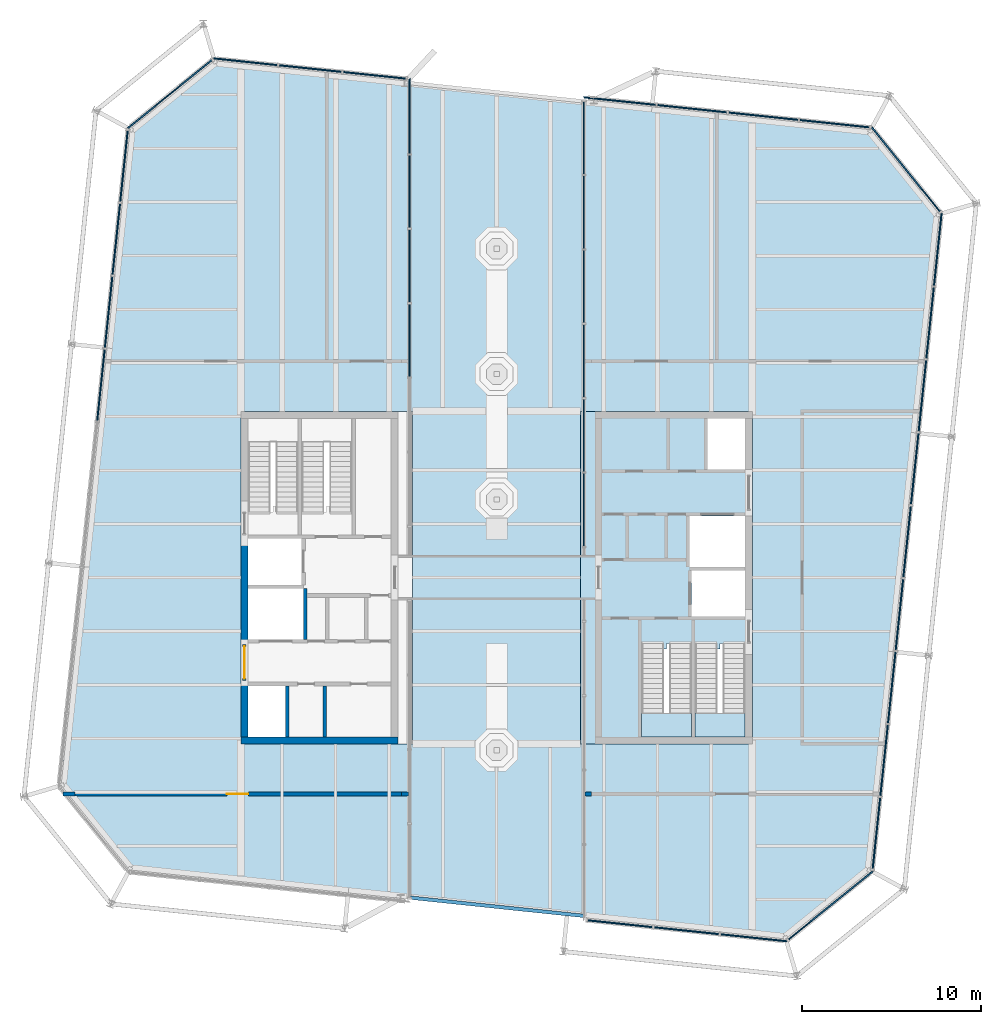
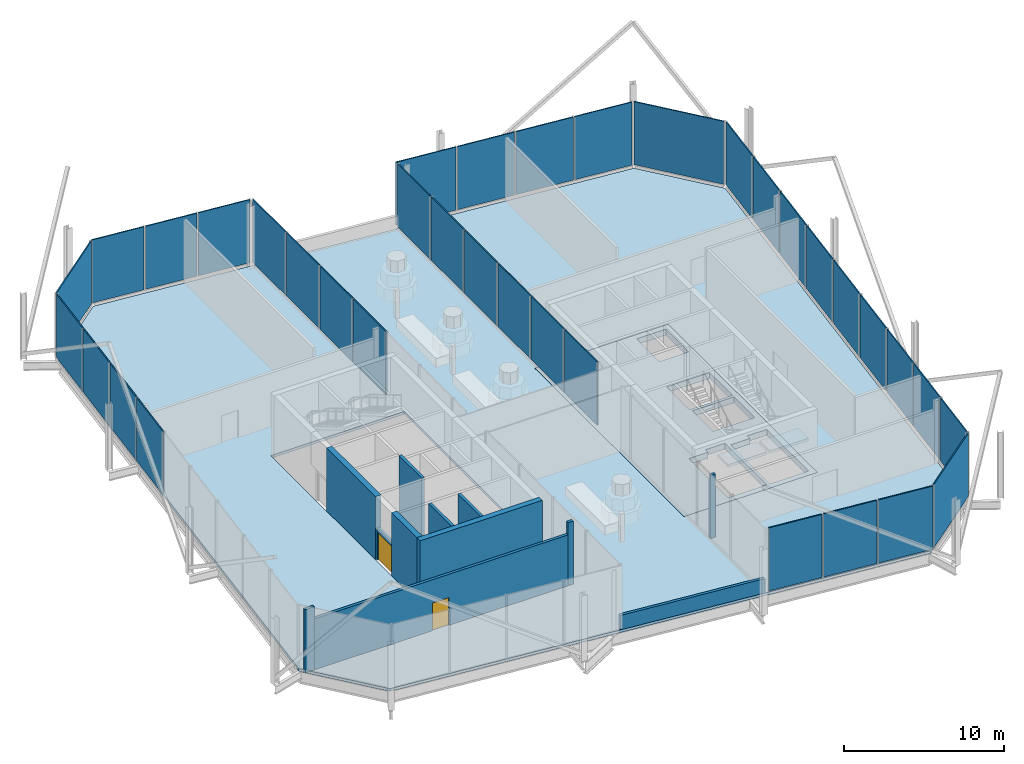
# One storey, part 9 of 14: 36 plates, 12 walls, 4 slabs, 2 doors, 2 openings, 12 elements without a shape of their own.
"""IFC4 building model written with IfcOpenShell, lengths in metres."""

from ifc_helpers import new_model, si_unit, direction, frame, frame_2d, origin, place, context, subcontext, project, spatial, polyline, rectangle, outline, extrude, material, layer, layer_set, type_object, element, fill, aggregate, save


model = new_model("IFC4")

# Units and contexts
model_context = context("Model", 3, precision=1e-05, world=origin(), true_north=direction((0.0, 1.0)))
body_context = subcontext(model_context, "Body", "Model", "MODEL_VIEW")
ifc_project = project(units=[si_unit("LENGTHUNIT", "METRE"), si_unit("AREAUNIT", "SQUARE_METRE"), si_unit("VOLUMEUNIT", "CUBIC_METRE"), si_unit("PLANEANGLEUNIT", "RADIAN"), si_unit("MASSUNIT", "GRAM", prefix="KILO")], contexts=[model_context])

# Site, building, storey
site_placement = place(None, origin())
site = spatial("IfcSite", under=ifc_project, at=site_placement, CompositionType="ELEMENT")
building_placement = place(site_placement, origin())
building = spatial("IfcBuilding", under=site, at=building_placement, Name="Millrace Tower", CompositionType="ELEMENT")
storey_placement = place(building_placement, frame((0.0, 0.0, 342.10009765625)))
storey = spatial("IfcBuildingStorey", under=building, at=storey_placement, Name="L79", CompositionType="ELEMENT", Elevation=342.10009765625)

# Curtain wall, plates
ifc_material_1 = material(Name="Aluminium and glass", Category="aluminium")
ifc_layer_1 = layer(ifc_material_1, 0.25)
ifc_layer_set_1 = layer_set([ifc_layer_1], Name="Aluminium and glass")
curtain_wall_type = type_object("IfcCurtainWallType", Name="CW-7 crown louvred enclosure", PredefinedType="NOTDEFINED", material=ifc_layer_set_1)
placement_1 = place(storey_placement, origin())
curtain_wall_1 = element("IfcCurtainWall", 1, at=placement_1, inside=storey, type_object=curtain_wall_type, Name="Curtain wall CW-F01 L79", PredefinedType="NOTDEFINED")
ifc_material_2 = material(Name="Glass", Category="glass")
ifc_layer_2 = layer(ifc_material_2, 0.080078125)
ifc_layer_set_2 = layer_set([ifc_layer_2], Name="Glass")
plate_type = type_object("IfcPlateType", Name="CW-7 crown louvred enclosure fixed louvre panel", PredefinedType="CURTAIN_PANEL", material=ifc_layer_set_2)
placement_2 = place(storey_placement, frame((0.0, 0.0, 0.199951171875)))
plate_1 = element("IfcPlate", 2, at=placement_2, type_object=plate_type, Name="CW7 panel CW-F01.8", PredefinedType="CURTAIN_PANEL", context=body_context, shape_type="SweptSolid", body=[
    extrude(outline(polyline([(-4.8349609375, 11.2353515625), (-4.8349609375, 15.29443359375), (-4.9150390625, 15.29443359375), (-4.9150390625, 11.2353515625), (-4.8349609375, 11.2353515625)])), origin(), (0.0, 0.0, 1.0), 4.800048828125),
])
plate_2 = element("IfcPlate", 3, at=placement_2, type_object=plate_type, Name="CW7 panel CW-F01.9", PredefinedType="CURTAIN_PANEL", context=body_context, shape_type="SweptSolid", body=[
    extrude(outline(polyline([(-4.8349609375, 15.39453125), (-4.8349609375, 19.45361328125), (-4.9150390625, 19.45361328125), (-4.9150390625, 15.39453125), (-4.8349609375, 15.39453125)])), origin(), (0.0, 0.0, 1.0), 4.800048828125),
])
plate_3 = element("IfcPlate", 4, at=placement_2, type_object=plate_type, Name="CW7 panel CW-F01.10", PredefinedType="CURTAIN_PANEL", context=body_context, shape_type="SweptSolid", body=[
    extrude(outline(polyline([(-4.8349609375, 19.553466796875), (-4.8349609375, 23.61279296875), (-4.9150390625, 23.61279296875), (-4.9150390625, 19.553466796875), (-4.8349609375, 19.553466796875)])), origin(), (0.0, 0.0, 1.0), 4.800048828125),
])
plate_4 = element("IfcPlate", 5, at=placement_2, type_object=plate_type, Name="CW7 panel CW-F01.11", PredefinedType="CURTAIN_PANEL", context=body_context, shape_type="SweptSolid", body=[
    extrude(outline(polyline([(-4.8349609375, 23.712646484375), (-4.8349609375, 27.92041015625), (-4.9150390625, 27.848388671875), (-4.9150390625, 23.712646484375), (-4.8349609375, 23.712646484375)])), origin(), (0.0, 0.0, 1.0), 4.800048828125),
])
aggregate(curtain_wall_1, [plate_1, plate_2, plate_3, plate_4])

curtain_wall_2 = element("IfcCurtainWall", 6, at=placement_1, inside=storey, type_object=curtain_wall_type, Name="Curtain wall CW-F02 L79", PredefinedType="NOTDEFINED")
plate_5 = element("IfcPlate", 7, at=placement_2, type_object=plate_type, Name="CW7 panel CW-F02.1", PredefinedType="CURTAIN_PANEL", context=body_context, shape_type="SweptSolid", body=[
    extrude(outline(polyline([(-5.082275390625, 27.9462890625), (-8.572998046875, 28.313232421875), (-8.581298828125, 28.233642578125), (-5.090576171875, 27.866943359375), (-5.082275390625, 27.9462890625)])), origin(), (0.0, 0.0, 1.0), 4.800048828125),
])
plate_6 = element("IfcPlate", 8, at=placement_2, type_object=plate_type, Name="CW7 panel CW-F02.2", PredefinedType="CURTAIN_PANEL", context=body_context, shape_type="SweptSolid", body=[
    extrude(outline(polyline([(-8.672607421875, 28.32373046875), (-12.163330078125, 28.690673828125), (-12.171630859375, 28.611083984375), (-8.680908203125, 28.244140625), (-8.672607421875, 28.32373046875)])), origin(), (0.0, 0.0, 1.0), 4.800048828125),
])
plate_7 = element("IfcPlate", 9, at=placement_2, type_object=plate_type, Name="CW7 panel CW-F02.3", PredefinedType="CURTAIN_PANEL", context=body_context, shape_type="SweptSolid", body=[
    extrude(outline(polyline([(-12.2626953125, 28.701171875), (-15.821533203125, 29.0751953125), (-15.797119140625, 28.9921875), (-12.271240234375, 28.62158203125), (-12.2626953125, 28.701171875)])), origin(), (0.0, 0.0, 1.0), 4.800048828125),
])
aggregate(curtain_wall_2, [plate_5, plate_6, plate_7])

# Curtain wall, plate
curtain_wall_3 = element("IfcCurtainWall", 10, at=placement_1, inside=storey, type_object=curtain_wall_type, Name="Curtain wall CW-F03 L79", PredefinedType="NOTDEFINED")
plate_8 = element("IfcPlate", 11, at=placement_2, type_object=plate_type, Name="CW7 panel CW-F03.1", PredefinedType="CURTAIN_PANEL", context=body_context, shape_type="SweptSolid", body=[
    extrude(outline(polyline([(-15.952392578125, 28.96923828125), (-20.65380859375, 25.162109375), (-20.57763671875, 25.120849609375), (-15.902099609375, 28.906982421875), (-15.952392578125, 28.96923828125)])), origin(), (0.0, 0.0, 1.0), 4.800048828125),
])
aggregate(curtain_wall_3, [plate_8])

# Curtain wall, plates
curtain_wall_4 = element("IfcCurtainWall", 12, at=placement_1, inside=storey, type_object=curtain_wall_type, Name="Curtain wall CW-F04 L79", PredefinedType="NOTDEFINED")
plate_9 = element("IfcPlate", 13, at=placement_2, type_object=plate_type, Name="CW7 panel CW-F04.1", PredefinedType="CURTAIN_PANEL", context=body_context, shape_type="SweptSolid", body=[
    extrude(outline(polyline([(-20.67138671875, 24.99462890625), (-21.089599609375, 21.0166015625), (-21.010009765625, 21.00830078125), (-20.591796875, 24.986328125), (-20.67138671875, 24.99462890625)])), origin(), (0.0, 0.0, 1.0), 4.800048828125),
])
plate_10 = element("IfcPlate", 14, at=placement_2, type_object=plate_type, Name="CW7 panel CW-F04.2", PredefinedType="CURTAIN_PANEL", context=body_context, shape_type="SweptSolid", body=[
    extrude(outline(polyline([(-21.099853515625, 20.917236328125), (-21.51806640625, 16.939208984375), (-21.4384765625, 16.9306640625), (-21.020263671875, 20.908935546875), (-21.099853515625, 20.917236328125)])), origin(), (0.0, 0.0, 1.0), 4.800048828125),
])
plate_11 = element("IfcPlate", 15, at=placement_2, type_object=plate_type, Name="CW7 panel CW-F04.3", PredefinedType="CURTAIN_PANEL", context=body_context, shape_type="SweptSolid", body=[
    extrude(outline(polyline([(-21.528564453125, 16.839599609375), (-21.946533203125, 12.861572265625), (-21.866943359375, 12.853271484375), (-21.448974609375, 16.831298828125), (-21.528564453125, 16.839599609375)])), origin(), (0.0, 0.0, 1.0), 4.800048828125),
])
plate_12 = element("IfcPlate", 16, at=placement_2, type_object=plate_type, Name="CW7 panel CW-F04.4", PredefinedType="CURTAIN_PANEL", context=body_context, shape_type="SweptSolid", body=[
    extrude(outline(polyline([(-21.95703125, 12.76220703125), (-22.375244140625, 8.783935546875), (-22.295654296875, 8.775634765625), (-21.87744140625, 12.753662109375), (-21.95703125, 12.76220703125)])), origin(), (0.0, 0.0, 1.0), 4.800048828125),
])
aggregate(curtain_wall_4, [plate_9, plate_10, plate_11, plate_12])

curtain_wall_5 = element("IfcCurtainWall", 17, at=placement_1, inside=storey, type_object=curtain_wall_type, Name="Curtain wall CE-F01 L79", PredefinedType="NOTDEFINED")
plate_13 = element("IfcPlate", 18, at=placement_2, type_object=plate_type, Name="CW7 panel CE-F01.1", PredefinedType="CURTAIN_PANEL", context=body_context, shape_type="SweptSolid", body=[
    extrude(outline(polyline([(4.8349609375, 26.620849609375), (4.8349609375, 22.561767578125), (4.9150390625, 22.561767578125), (4.9150390625, 26.620849609375), (4.8349609375, 26.620849609375)])), origin(), (0.0, 0.0, 1.0), 4.800048828125),
])
plate_14 = element("IfcPlate", 19, at=placement_2, type_object=plate_type, Name="CW7 panel CE-F01.2", PredefinedType="CURTAIN_PANEL", context=body_context, shape_type="SweptSolid", body=[
    extrude(outline(polyline([(4.8349609375, 22.461669921875), (4.8349609375, 18.402587890625), (4.9150390625, 18.402587890625), (4.9150390625, 22.461669921875), (4.8349609375, 22.461669921875)])), origin(), (0.0, 0.0, 1.0), 4.800048828125),
])
plate_15 = element("IfcPlate", 20, at=placement_2, type_object=plate_type, Name="CW7 panel CE-F01.3", PredefinedType="CURTAIN_PANEL", context=body_context, shape_type="SweptSolid", body=[
    extrude(outline(polyline([(4.8349609375, 18.302490234375), (4.8349609375, 14.243408203125), (4.9150390625, 14.243408203125), (4.9150390625, 18.302490234375), (4.8349609375, 18.302490234375)])), origin(), (0.0, 0.0, 1.0), 4.800048828125),
])
plate_16 = element("IfcPlate", 21, at=placement_2, type_object=plate_type, Name="CW7 panel CE-F01.4", PredefinedType="CURTAIN_PANEL", context=body_context, shape_type="SweptSolid", body=[
    extrude(outline(polyline([(4.8349609375, 14.143310546875), (4.8349609375, 10.084228515625), (4.9150390625, 10.084228515625), (4.9150390625, 14.143310546875), (4.8349609375, 14.143310546875)])), origin(), (0.0, 0.0, 1.0), 4.800048828125),
])
plate_17 = element("IfcPlate", 22, at=placement_2, type_object=plate_type, Name="CW7 panel CE-F01.5", PredefinedType="CURTAIN_PANEL", context=body_context, shape_type="SweptSolid", body=[
    extrude(outline(polyline([(4.8349609375, 9.984130859375), (4.8349609375, 5.925048828125), (4.9150390625, 5.925048828125), (4.9150390625, 9.984130859375), (4.8349609375, 9.984130859375)])), origin(), (0.0, 0.0, 1.0), 4.800048828125),
])
plate_18 = element("IfcPlate", 23, at=placement_2, type_object=plate_type, Name="CW7 panel CE-F01.6", PredefinedType="CURTAIN_PANEL", context=body_context, shape_type="SweptSolid", body=[
    extrude(outline(polyline([(4.8349609375, 5.824951171875), (4.8349609375, 1.765869140625), (4.9150390625, 1.765869140625), (4.9150390625, 5.824951171875), (4.8349609375, 5.824951171875)])), origin(), (0.0, 0.0, 1.0), 4.800048828125),
])
aggregate(curtain_wall_5, [plate_13, plate_14, plate_15, plate_16, plate_17, plate_18])

curtain_wall_6 = element("IfcCurtainWall", 24, at=placement_1, inside=storey, type_object=curtain_wall_type, Name="Curtain wall CE-F02 L79", PredefinedType="NOTDEFINED")
plate_19 = element("IfcPlate", 25, at=placement_2, type_object=plate_type, Name="CW7 panel CE-F02.1", PredefinedType="CURTAIN_PANEL", context=body_context, shape_type="SweptSolid", body=[
    extrude(outline(polyline([(5.082275390625, -19.204345703125), (8.706298828125, -19.585205078125), (8.71484375, -19.505615234375), (5.090576171875, -19.124755859375), (5.082275390625, -19.204345703125)])), origin(), (0.0, 0.0, 1.0), 4.800048828125),
])
plate_20 = element("IfcPlate", 26, at=placement_2, type_object=plate_type, Name="CW7 panel CE-F02.2", PredefinedType="CURTAIN_PANEL", context=body_context, shape_type="SweptSolid", body=[
    extrude(outline(polyline([(8.805908203125, -19.595703125), (12.429931640625, -19.9765625), (12.4384765625, -19.89697265625), (8.814208984375, -19.51611328125), (8.805908203125, -19.595703125)])), origin(), (0.0, 0.0, 1.0), 4.800048828125),
])
plate_21 = element("IfcPlate", 27, at=placement_2, type_object=plate_type, Name="CW7 panel CE-F02.3", PredefinedType="CURTAIN_PANEL", context=body_context, shape_type="SweptSolid", body=[
    extrude(outline(polyline([(12.529541015625, -19.987060546875), (16.2216796875, -20.375244140625), (16.197021484375, -20.292236328125), (12.537841796875, -19.907470703125), (12.529541015625, -19.987060546875)])), origin(), (0.0, 0.0, 1.0), 4.800048828125),
])
aggregate(curtain_wall_6, [plate_19, plate_20, plate_21])

# Curtain wall, plate
curtain_wall_7 = element("IfcCurtainWall", 28, at=placement_1, inside=storey, type_object=curtain_wall_type, Name="Curtain wall CE-F03 L79", PredefinedType="NOTDEFINED")
plate_22 = element("IfcPlate", 29, at=placement_2, type_object=plate_type, Name="CW7 panel CE-F03.1", PredefinedType="CURTAIN_PANEL", context=body_context, shape_type="SweptSolid", body=[
    extrude(outline(polyline([(16.3525390625, -20.269287109375), (21.0537109375, -16.462158203125), (20.977783203125, -16.4208984375), (16.302001953125, -20.20703125), (16.3525390625, -20.269287109375)])), origin(), (0.0, 0.0, 1.0), 4.800048828125),
])
aggregate(curtain_wall_7, [plate_22])

# Curtain wall, plates
curtain_wall_8 = element("IfcCurtainWall", 30, at=placement_1, inside=storey, type_object=curtain_wall_type, Name="Curtain wall CE-F04 L79", PredefinedType="NOTDEFINED")
plate_23 = element("IfcPlate", 31, at=placement_2, type_object=plate_type, Name="CW7 panel CE-F04.1", PredefinedType="CURTAIN_PANEL", context=body_context, shape_type="SweptSolid", body=[
    extrude(outline(polyline([(21.0712890625, -16.294677734375), (21.489501953125, -12.316650390625), (21.409912109375, -12.308349609375), (20.99169921875, -16.286376953125), (21.0712890625, -16.294677734375)])), origin(), (0.0, 0.0, 1.0), 4.800048828125),
])
plate_24 = element("IfcPlate", 32, at=placement_2, type_object=plate_type, Name="CW7 panel CE-F04.2", PredefinedType="CURTAIN_PANEL", context=body_context, shape_type="SweptSolid", body=[
    extrude(outline(polyline([(21.5, -12.21728515625), (21.91796875, -8.239013671875), (21.83837890625, -8.230712890625), (21.42041015625, -12.208740234375), (21.5, -12.21728515625)])), origin(), (0.0, 0.0, 1.0), 4.800048828125),
])
plate_25 = element("IfcPlate", 33, at=placement_2, type_object=plate_type, Name="CW7 panel CE-F04.3", PredefinedType="CURTAIN_PANEL", context=body_context, shape_type="SweptSolid", body=[
    extrude(outline(polyline([(21.928466796875, -8.1396484375), (22.3466796875, -4.16162109375), (22.26708984375, -4.1533203125), (21.848876953125, -8.13134765625), (21.928466796875, -8.1396484375)])), origin(), (0.0, 0.0, 1.0), 4.800048828125),
])
plate_26 = element("IfcPlate", 34, at=placement_2, type_object=plate_type, Name="CW7 panel CE-F04.4", PredefinedType="CURTAIN_PANEL", context=body_context, shape_type="SweptSolid", body=[
    extrude(outline(polyline([(22.357177734375, -4.06201171875), (22.775146484375, -0.083984375), (22.695556640625, -0.07568359375), (22.277587890625, -4.0537109375), (22.357177734375, -4.06201171875)])), origin(), (0.0, 0.0, 1.0), 4.800048828125),
])
plate_27 = element("IfcPlate", 35, at=placement_2, type_object=plate_type, Name="CW7 panel CE-F04.5", PredefinedType="CURTAIN_PANEL", context=body_context, shape_type="SweptSolid", body=[
    extrude(outline(polyline([(22.78564453125, 0.015380859375), (23.203857421875, 3.993408203125), (23.124267578125, 4.001953125), (22.7060546875, 0.023681640625), (22.78564453125, 0.015380859375)])), origin(), (0.0, 0.0, 1.0), 4.800048828125),
])
plate_28 = element("IfcPlate", 36, at=placement_2, type_object=plate_type, Name="CW7 panel CE-F04.6", PredefinedType="CURTAIN_PANEL", context=body_context, shape_type="SweptSolid", body=[
    extrude(outline(polyline([(23.214111328125, 4.093017578125), (23.63232421875, 8.071044921875), (23.552734375, 8.079345703125), (23.134521484375, 4.101318359375), (23.214111328125, 4.093017578125)])), origin(), (0.0, 0.0, 1.0), 4.800048828125),
])
plate_29 = element("IfcPlate", 37, at=placement_2, type_object=plate_type, Name="CW7 panel CE-F04.7", PredefinedType="CURTAIN_PANEL", context=body_context, shape_type="SweptSolid", body=[
    extrude(outline(polyline([(23.642822265625, 8.17041015625), (24.060791015625, 12.148681640625), (23.9814453125, 12.156982421875), (23.563232421875, 8.178955078125), (23.642822265625, 8.17041015625)])), origin(), (0.0, 0.0, 1.0), 4.800048828125),
])
plate_30 = element("IfcPlate", 38, at=placement_2, type_object=plate_type, Name="CW7 panel CE-F04.8", PredefinedType="CURTAIN_PANEL", context=body_context, shape_type="SweptSolid", body=[
    extrude(outline(polyline([(24.0712890625, 12.248046875), (24.489501953125, 16.22607421875), (24.409912109375, 16.234375), (23.99169921875, 12.25634765625), (24.0712890625, 12.248046875)])), origin(), (0.0, 0.0, 1.0), 4.800048828125),
])
plate_31 = element("IfcPlate", 39, at=placement_2, type_object=plate_type, Name="CW7 panel CE-F04.9", PredefinedType="CURTAIN_PANEL", context=body_context, shape_type="SweptSolid", body=[
    extrude(outline(polyline([(24.5, 16.32568359375), (24.925048828125, 20.37158203125), (24.842041015625, 20.346923828125), (24.42041015625, 16.333984375), (24.5, 16.32568359375)])), origin(), (0.0, 0.0, 1.0), 4.800048828125),
])
aggregate(curtain_wall_8, [plate_23, plate_24, plate_25, plate_26, plate_27, plate_28, plate_29, plate_30, plate_31])

# Curtain wall, plate
curtain_wall_9 = element("IfcCurtainWall", 40, at=placement_1, inside=storey, type_object=curtain_wall_type, Name="Curtain wall CE-F05 L79", PredefinedType="NOTDEFINED")
plate_32 = element("IfcPlate", 41, at=placement_2, type_object=plate_type, Name="CW7 panel CE-F05.1", PredefinedType="CURTAIN_PANEL", context=body_context, shape_type="SweptSolid", body=[
    extrude(outline(polyline([(24.8193359375, 20.50244140625), (21.01220703125, 25.203857421875), (20.970947265625, 25.127685546875), (24.757080078125, 20.4521484375), (24.8193359375, 20.50244140625)])), origin(), (0.0, 0.0, 1.0), 4.800048828125),
])
aggregate(curtain_wall_9, [plate_32])

# Curtain wall, plates
curtain_wall_10 = element("IfcCurtainWall", 42, at=placement_1, inside=storey, type_object=curtain_wall_type, Name="Curtain wall CE-F06 L79", PredefinedType="NOTDEFINED")
plate_33 = element("IfcPlate", 43, at=placement_2, type_object=plate_type, Name="CW7 panel CE-F06.1", PredefinedType="CURTAIN_PANEL", context=body_context, shape_type="SweptSolid", body=[
    extrude(outline(polyline([(20.8447265625, 25.221435546875), (16.96240234375, 25.62939453125), (16.9541015625, 25.5498046875), (20.83642578125, 25.141845703125), (20.8447265625, 25.221435546875)])), origin(), (0.0, 0.0, 1.0), 4.800048828125),
])
plate_34 = element("IfcPlate", 44, at=placement_2, type_object=plate_type, Name="CW7 panel CE-F06.2", PredefinedType="CURTAIN_PANEL", context=body_context, shape_type="SweptSolid", body=[
    extrude(outline(polyline([(16.863037109375, 25.639892578125), (12.980712890625, 26.0478515625), (12.972412109375, 25.96826171875), (16.854736328125, 25.560302734375), (16.863037109375, 25.639892578125)])), origin(), (0.0, 0.0, 1.0), 4.800048828125),
])
plate_35 = element("IfcPlate", 45, at=placement_2, type_object=plate_type, Name="CW7 panel CE-F06.3", PredefinedType="CURTAIN_PANEL", context=body_context, shape_type="SweptSolid", body=[
    extrude(outline(polyline([(12.88134765625, 26.058349609375), (8.9990234375, 26.46630859375), (8.99072265625, 26.386962890625), (12.872802734375, 25.978759765625), (12.88134765625, 26.058349609375)])), origin(), (0.0, 0.0, 1.0), 4.800048828125),
])
plate_36 = element("IfcPlate", 46, at=placement_2, type_object=plate_type, Name="CW7 panel CE-F06.4", PredefinedType="CURTAIN_PANEL", context=body_context, shape_type="SweptSolid", body=[
    extrude(outline(polyline([(8.8994140625, 26.476806640625), (4.8349609375, 26.904052734375), (4.9150390625, 26.815185546875), (8.89111328125, 26.397216796875), (8.8994140625, 26.476806640625)])), origin(), (0.0, 0.0, 1.0), 4.800048828125),
])
aggregate(curtain_wall_10, [plate_33, plate_34, plate_35, plate_36])

# Slab
ifc_material_3 = material(Name="Concrete C35 on steel deck", Category="concrete")
ifc_layer_3 = layer(ifc_material_3, 0.199951171875)
ifc_layer_set_3 = layer_set([ifc_layer_3], Name="Concrete C35 on steel deck")
slab_type_1 = type_object("IfcSlabType", Name="Composite floor slab 200 mm", PredefinedType="FLOOR", material=ifc_layer_set_3)
slab_1_placement = place(storey_placement, frame((0.0, 0.0, -0.2001953125)))
element("IfcSlab", 47, at=slab_1_placement, inside=storey, type_object=slab_type_1, Name="SL-CROWN-L79-S1", PredefinedType="FLOOR", context=body_context, shape_type="SweptSolid", body=[
    extrude(outline(polyline([(-24.35400390625, -11.620849609375), (-20.52685546875, -16.346923828125), (16.1708984375, -20.203857421875), (20.896728515625, -16.376953125), (24.75390625, 20.32080078125), (20.927001953125, 25.046875), (-15.77099609375, 28.90380859375), (-20.496826171875, 25.076904296875), (-24.35400390625, -11.620849609375)]), holes=[polyline([(-14.300048828125, -9.300048828125), (-4.699951171875, -9.300048828125), (-4.699951171875, 9.300048828125), (-14.300048828125, 9.300048828125), (-14.300048828125, -9.300048828125)]), polyline([(4.699951171875, -9.300048828125), (14.300048828125, -9.300048828125), (14.300048828125, 9.300048828125), (4.699951171875, 9.300048828125), (4.699951171875, -9.300048828125)])]), origin(), (0.0, 0.0, 1.0), 0.2001953125),
])

# Stair, slab
ifc_material_4 = material(Name="Concrete C35", Category="concrete")
stair_type = type_object("IfcStairType", Name="Exit stair", PredefinedType="HALF_TURN_STAIR", material=ifc_material_4)
stair_1 = element("IfcStair", 48, at=placement_1, inside=storey, type_object=stair_type, Name="Stair 1 E L79", PredefinedType="HALF_TURN_STAIR")
ifc_material_5 = material(Name="Concrete C40", Category="concrete")
ifc_layer_4 = layer(ifc_material_5, 0.199951171875)
ifc_layer_set_4 = layer_set([ifc_layer_4], Name="Concrete C40")
slab_type_2 = type_object("IfcSlabType", Name="Stair landing", PredefinedType="LANDING", material=ifc_layer_set_4)
placement_3 = place(storey_placement, frame((0.0, 0.0, 2.2998046875)))
slab_2 = element("IfcSlab", 49, at=placement_3, type_object=slab_type_2, Name="ST12 landing 1", PredefinedType="LANDING", context=body_context, shape_type="SweptSolid", body=[
    extrude(outline(polyline([(11.10009765625, -8.89990234375), (13.89990234375, -8.89990234375), (13.89990234375, -7.60009765625), (11.10009765625, -7.60009765625), (11.10009765625, -8.89990234375)])), origin(), (0.0, 0.0, 1.0), 0.2001953125),
])
aggregate(stair_1, [slab_2])

stair_2 = element("IfcStair", 50, at=placement_1, inside=storey, type_object=stair_type, Name="Stair 2 E L79", PredefinedType="HALF_TURN_STAIR")
slab_3 = element("IfcSlab", 51, at=placement_3, type_object=slab_type_2, Name="ST12 landing 1", PredefinedType="LANDING", context=body_context, shape_type="SweptSolid", body=[
    extrude(outline(polyline([(8.10009765625, -8.89990234375), (10.89990234375, -8.89990234375), (10.89990234375, -7.60009765625), (8.10009765625, -7.60009765625), (8.10009765625, -8.89990234375)])), origin(), (0.0, 0.0, 1.0), 0.2001953125),
])
aggregate(stair_2, [slab_3])

# Slab
ifc_material_6 = material(Name="Concrete C60", Category="concrete")
ifc_layer_5 = layer(ifc_material_6, 0.449951171875)
ifc_layer_set_5 = layer_set([ifc_layer_5], Name="Concrete C60")
slab_type_3 = type_object("IfcSlabType", Name="Transfer floor slab 450 mm", PredefinedType="FLOOR", material=ifc_layer_set_5)
slab_4_placement = place(storey_placement, frame((0.0, 0.0, -0.4501953125)))
element("IfcSlab", 52, at=slab_4_placement, inside=storey, type_object=slab_type_3, Name="SL-CROWN-L79-TE", PredefinedType="FLOOR", context=body_context, shape_type="SweptSolid", body=[
    extrude(outline(polyline([(4.699951171875, -9.300048828125), (14.300048828125, -9.300048828125), (14.300048828125, 9.300048828125), (4.699951171875, 9.300048828125), (4.699951171875, -9.300048828125)]), holes=[polyline([(11.800048828125, 6.050048828125), (13.89990234375, 6.050048828125), (13.89990234375, 8.89990234375), (11.800048828125, 8.89990234375), (11.800048828125, 6.050048828125)]), polyline([(10.800048828125, 0.60009765625), (13.89990234375, 0.60009765625), (13.89990234375, 3.449951171875), (10.800048828125, 3.449951171875), (10.800048828125, 0.60009765625)]), polyline([(10.89990234375, -2.179931640625), (13.89990234375, -2.179931640625), (13.89990234375, 0.39990234375), (10.89990234375, 0.39990234375), (10.89990234375, -2.179931640625)]), polyline([(11.10009765625, -8.89990234375), (12.5, -8.89990234375), (13.89990234375, -8.89990234375), (13.89990234375, -3.679931640625), (12.5, -3.679931640625), (12.5, -4.0), (11.10009765625, -4.0), (11.10009765625, -8.89990234375)]), polyline([(8.10009765625, -8.89990234375), (9.5, -8.89990234375), (10.89990234375, -8.89990234375), (10.89990234375, -3.679931640625), (9.5, -3.679931640625), (9.5, -4.0), (8.10009765625, -4.0), (8.10009765625, -8.89990234375)])]), origin(), (0.0, 0.0, 1.0), 0.4501953125),
])

# Walls
ifc_material_7 = material(Name="Concrete C60", Category="concrete")
ifc_layer_6 = layer(ifc_material_7, 0.39990234375)
ifc_layer_set_6 = layer_set([ifc_layer_6], Name="Concrete C60")
wall_type_1 = type_object("IfcWallType", Name="Core wall 400 Concrete C60", PredefinedType="SHEAR", material=ifc_layer_set_6)
wall_1_placement = place(storey_placement, frame((-14.300048828125, -9.10009765625, 0.0), z_axis=(0.0, 0.0, 1.0), x_axis=(1.0, 0.0, 0.0)))
element("IfcWall", 53, at=wall_1_placement, inside=storey, type_object=wall_type_1, Name="Core wall W L79", PredefinedType="SHEAR", context=body_context, shape_type="SweptSolid", body=[
    extrude(rectangle(XDim=8.800048828125, YDim=0.39990234375, at=frame_2d((4.39990234375, 0.0))), origin(), (0.0, 0.0, 1.0), 4.7998046875),
])
wall_2_placement = place(storey_placement, frame((-14.10009765625, -8.89990234375, 0.0), z_axis=(0.0, 0.0, 1.0), x_axis=(0.0, 1.0, 0.0)))
element("IfcWall", 54, at=wall_2_placement, inside=storey, type_object=wall_type_1, Name="Core wall W L79", PredefinedType="SHEAR", context=body_context, shape_type="SweptSolid", body=[
    extrude(rectangle(XDim=3.14990234375, YDim=0.39990234375, at=frame_2d((1.574951171875, 0.0))), origin(), (0.0, 0.0, 1.0), 4.7998046875),
])
wall_3_placement = place(storey_placement, frame((-14.10009765625, -3.75, 0.0), z_axis=(0.0, 0.0, 1.0), x_axis=(0.0, 1.0, 0.0)))
element("IfcWall", 55, at=wall_3_placement, inside=storey, type_object=wall_type_1, Name="Core wall W L79", PredefinedType="SHEAR", context=body_context, shape_type="SweptSolid", body=[
    extrude(rectangle(XDim=6.1298828125, YDim=0.39990234375, at=frame_2d((3.06494140625, 0.0))), origin(), (0.0, 0.0, 1.0), 4.7998046875),
])
ifc_material_8 = material(Name="Masonry partition, fire-rated", Category="masonry")
ifc_layer_7 = layer(ifc_material_8, 0.199951171875)
ifc_layer_set_7 = layer_set([ifc_layer_7], Name="Masonry partition, fire-rated")
wall_type_2 = type_object("IfcWallType", Name="Corridor wall 200", PredefinedType="PARTITIONING", material=ifc_layer_set_7)
wall_4_placement = place(storey_placement, frame((-24.2431640625, -12.10009765625, 0.0), z_axis=(0.0, 0.0, 1.0), x_axis=(1.0, 0.0, 0.0)))
element("IfcWall", 56, at=wall_4_placement, inside=storey, type_object=wall_type_2, Name="Corridor wall L79", PredefinedType="PARTITIONING", context=body_context, shape_type="SweptSolid", body=[
    extrude(rectangle(XDim=0.65966796875, YDim=0.199951171875, at=frame_2d((0.329833984375, 0.0))), origin(), (0.0, 0.0, 1.0), 4.7998046875),
])

# Wall, opening, door
wall_5_placement = place(storey_placement, frame((-23.58349609375, -12.10009765625, 0.0), z_axis=(0.0, 0.0, 1.0), x_axis=(1.0, 0.0, 0.0)))
wall_5 = element("IfcWall", 57, at=wall_5_placement, inside=storey, type_object=wall_type_2, Name="Corridor wall L79", PredefinedType="PARTITIONING", context=body_context, shape_type="SweptSolid", body=[
    extrude(rectangle(XDim=18.276123046875, YDim=0.199951171875, at=frame_2d((9.13818359375, 0.0))), origin(), (0.0, 0.0, 1.0), 3.872802734375),
])
opening_1_placement = place(wall_5_placement, frame((8.4990234375, 0.0, 0.0)))
opening_1 = element("IfcOpeningElement", 58, at=opening_1_placement, cuts=wall_5, Name="Opening 79-P003", PredefinedType="OPENING", context=body_context, shape_type="SweptSolid", body=[
    extrude(rectangle(XDim=1.199951171875, YDim=2.10009765625, at=frame_2d((0.60009765625, 1.050048828125))), frame((0.0, 0.10986328125, 0.0), z_axis=(0.0, -1.0, 0.0), x_axis=(1.0, 0.0, 0.0)), (0.0, 0.0, 1.0), 0.219970703125),
])
ifc_material_9 = material(Name="Steel door set, fire-rated", Category="steel")
door_type_1 = type_object("IfcDoorType", Name="Corridor door 1200 x 2100", OperationType="SINGLE_SWING_LEFT", PredefinedType="DOOR", material=ifc_material_9)
door_1_placement = place(opening_1_placement, frame((1.199951171875, 0.0, 0.0), z_axis=(0.0, 0.0, 1.0), x_axis=(-1.0, 0.0, 0.0)))
door_1 = element("IfcDoor", 59, at=door_1_placement, inside=storey, type_object=door_type_1, Name="Door 79-P003", OperationType="SINGLE_SWING_RIGHT", OverallHeight=2.10009765625, OverallWidth=1.199951171875, PredefinedType="DOOR", context=body_context, shape_type="SweptSolid", body=[
    extrude(rectangle(XDim=1.199951171875, YDim=2.10009765625, at=frame_2d((0.60009765625, 1.050048828125))), frame((0.0, 0.02490234375, 0.0), z_axis=(0.0, -1.0, 0.0), x_axis=(1.0, 0.0, 0.0)), (0.0, 0.0, 1.0), 0.050048828125),
])
fill(opening_1, door_1)

# Walls
for number, where, z_axis, x_axis, name in (
    (60, (-5.307373046875, -12.10009765625, 0.0), (0.0, 0.0, 1.0), (1.0, 0.0, 0.0), "Corridor wall L79"),
    (61, (4.93994140625, -12.10009765625, 0.0), (0.0, 0.0, 1.0), (1.0, 0.0, 0.0), "Corridor wall L79"),
):
    element("IfcWall", number, at=place(storey_placement, frame(where, z_axis=z_axis, x_axis=x_axis)), inside=storey, type_object=wall_type_2, Name=name, PredefinedType="PARTITIONING", context=body_context, shape_type="SweptSolid", body=[
        extrude(rectangle(XDim=0.367431640625, YDim=0.199951171875, at=frame_2d((0.18359375, 0.0))), origin(), (0.0, 0.0, 1.0), 4.7998046875),
    ])
ifc_material_10 = material(Name="Masonry partition, fire-rated", Category="masonry")
ifc_layer_8 = layer(ifc_material_10, 0.199951171875)
ifc_layer_set_8 = layer_set([ifc_layer_8], Name="Masonry partition, fire-rated")
wall_type_3 = type_object("IfcWallType", Name="Lift shaft wall 200", PredefinedType="PARTITIONING", material=ifc_layer_set_8)
for number, where, z_axis, x_axis, name in (
    (62, (-11.699951171875, -8.89990234375, 0.0), (0.0, 0.0, 1.0), (0.0, 1.0, 0.0), "Lift shaft wall W L79"),
    (63, (-10.699951171875, -3.449951171875, 0.0), (0.0, 0.0, 1.0), (0.0, 1.0, 0.0), "Lift shaft wall W L79"),
):
    element("IfcWall", number, at=place(storey_placement, frame(where, z_axis=z_axis, x_axis=x_axis)), inside=storey, type_object=wall_type_3, Name=name, PredefinedType="PARTITIONING", context=body_context, shape_type="SweptSolid", body=[
        extrude(rectangle(XDim=2.849853515625, YDim=0.199951171875, at=frame_2d((1.4248046875, 0.0))), origin(), (0.0, 0.0, 1.0), 4.7998046875),
    ])

# Wall, opening, door
ifc_material_11 = material(Name="Masonry partition, fire-rated", Category="masonry")
ifc_layer_9 = layer(ifc_material_11, 0.199951171875)
ifc_layer_set_9 = layer_set([ifc_layer_9], Name="Masonry partition, fire-rated")
wall_type_4 = type_object("IfcWallType", Name="Lobby wall 200", PredefinedType="PARTITIONING", material=ifc_layer_set_9)
wall_6_placement = place(storey_placement, frame((-14.10009765625, -5.75, 0.0), z_axis=(0.0, 0.0, 1.0), x_axis=(0.0, 1.0, 0.0)))
wall_6 = element("IfcWall", 64, at=wall_6_placement, inside=storey, type_object=wall_type_4, Name="Lobby wall W L79", PredefinedType="PARTITIONING", context=body_context, shape_type="SweptSolid", body=[
    extrude(rectangle(XDim=2.0, YDim=0.199951171875, at=frame_2d((1.0, 0.0))), origin(), (0.0, 0.0, 1.0), 2.39990234375),
])
opening_2_placement = place(wall_6_placement, frame((0.10009765625, 0.0, 0.0)))
opening_2 = element("IfcOpeningElement", 65, at=opening_2_placement, cuts=wall_6, Name="Opening 79-C001", PredefinedType="OPENING", context=body_context, shape_type="SweptSolid", body=[
    extrude(rectangle(XDim=1.800048828125, YDim=2.10009765625, at=frame_2d((0.89990234375, 1.050048828125))), frame((0.0, 0.10986328125, 0.0), z_axis=(0.0, -1.0, 0.0), x_axis=(1.0, 0.0, 0.0)), (0.0, 0.0, 1.0), 0.219970703125),
])
ifc_material_12 = material(Name="Steel door, fire-rated", Category="steel")
door_type_2 = type_object("IfcDoorType", Name="Lobby door 1800 x 2100", OperationType="DOUBLE_DOOR_SINGLE_SWING", PredefinedType="DOOR", material=ifc_material_12)
door_2_placement = place(opening_2_placement, origin())
door_2 = element("IfcDoor", 66, at=door_2_placement, inside=storey, type_object=door_type_2, Name="Lobby door 79-C001", OperationType="DOUBLE_DOOR_SINGLE_SWING", OverallHeight=2.10009765625, OverallWidth=1.800048828125, PredefinedType="DOOR", context=body_context, shape_type="SweptSolid", body=[
    extrude(rectangle(XDim=1.800048828125, YDim=2.10009765625, at=frame_2d((0.89990234375, 1.050048828125))), frame((0.0, 0.02490234375, 0.0), z_axis=(0.0, -1.0, 0.0), x_axis=(1.0, 0.0, 0.0)), (0.0, 0.0, 1.0), 0.050048828125),
])
fill(opening_2, door_2)

# Walls
ifc_material_13 = material(Name="Concrete C40", Category="concrete")
ifc_layer_10 = layer(ifc_material_13, 0.199951171875)
ifc_layer_set_10 = layer_set([ifc_layer_10], Name="Concrete C40")
wall_type_5 = type_object("IfcWallType", Name="Roof parapet 1100", PredefinedType="PARAPET", material=ifc_layer_set_10)
wall_7_placement = place(storey_placement, frame((-4.89013671875, -17.889892578125, 0.0), z_axis=(0.0, 0.0, 1.0), x_axis=(0.994522949977, -0.104518428844, 0.0)))
element("IfcWall", 67, at=wall_7_placement, inside=storey, type_object=wall_type_5, Name="Slot roof parapet 4", PredefinedType="PARAPET", context=body_context, shape_type="SweptSolid", body=[
    extrude(rectangle(XDim=9.85498046875, YDim=0.199951171875, at=frame_2d((4.927490234375, 0.0))), origin(), (0.0, 0.0, 1.0), 1.099853515625),
])
ifc_material_14 = material(Name="Masonry partition, fire-rated", Category="masonry")
ifc_layer_11 = layer(ifc_material_14, 0.199951171875)
ifc_layer_set_11 = layer_set([ifc_layer_11], Name="Masonry partition, fire-rated")
wall_type_6 = type_object("IfcWallType", Name="Room partition 200", PredefinedType="PARTITIONING", material=ifc_layer_set_11)
wall_8_placement = place(storey_placement, frame((-9.60498046875, -8.89990234375, 0.0), z_axis=(0.0, 0.0, 1.0), x_axis=(0.0, 1.0, 0.0)))
element("IfcWall", 68, at=wall_8_placement, inside=storey, type_object=wall_type_6, Name="Room partition W L79", PredefinedType="PARTITIONING", context=body_context, shape_type="SweptSolid", body=[
    extrude(rectangle(XDim=2.849853515625, YDim=0.199951171875, at=frame_2d((1.4248046875, 0.0))), origin(), (0.0, 0.0, 1.0), 4.7998046875),
])

save(model, "model.ifc")
